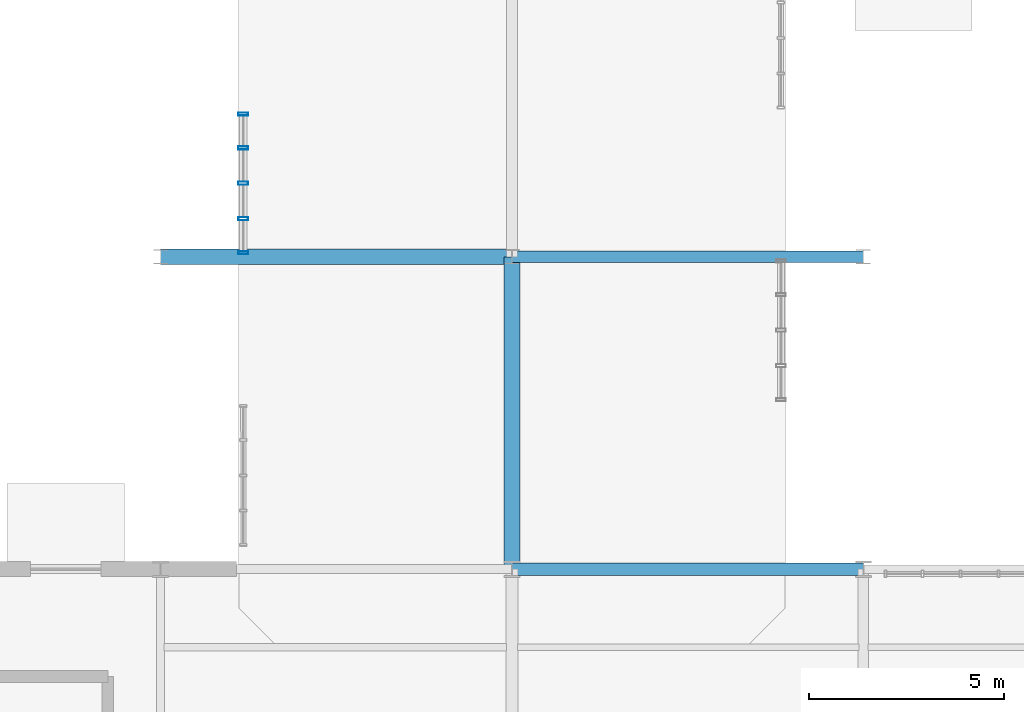
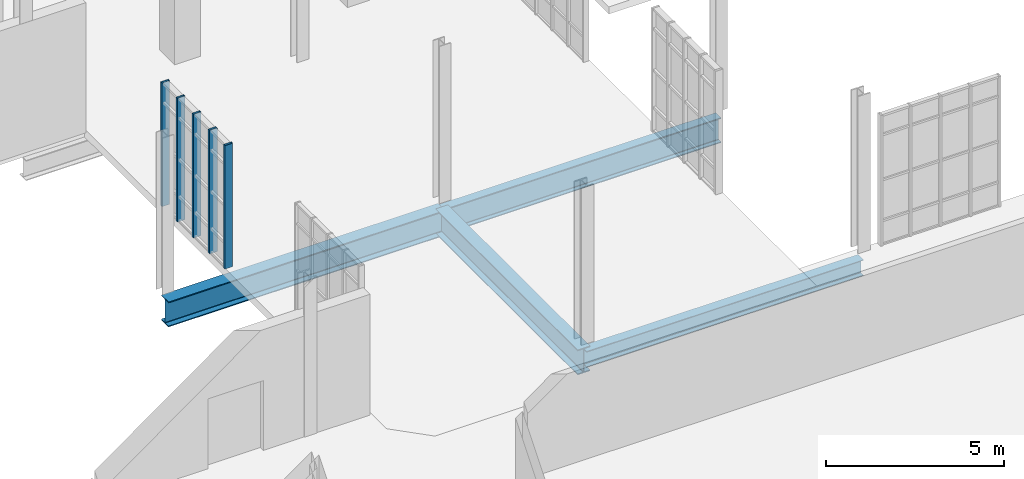
# One storey, part 30 of 189: 5 members, 4 beams, 1 element without a shape of its own.
"""IFC4 building model written with IfcOpenShell, lengths in metres."""

from ifc_helpers import new_model, si_unit, direction, frame, origin, origin_2d, place, context, subcontext, project, spatial, hollow_rectangle, i_section, extrude, material, layer, layer_set, material_profile, profile_set, type_object, element, aggregate, save


model = new_model("IFC4")

# Units and contexts
model_context = context("Model", 3, precision=1e-05, world=origin(), true_north=direction((0.0, 1.0)))
body_context = subcontext(model_context, "Body", "Model", "MODEL_VIEW")
ifc_project = project(units=[si_unit("LENGTHUNIT", "METRE"), si_unit("AREAUNIT", "SQUARE_METRE"), si_unit("VOLUMEUNIT", "CUBIC_METRE"), si_unit("PLANEANGLEUNIT", "RADIAN"), si_unit("MASSUNIT", "GRAM", prefix="KILO"), si_unit("THERMODYNAMICTEMPERATUREUNIT", "KELVIN"), si_unit("POWERUNIT", "WATT")], contexts=[model_context])

# Site, building, storey
site_placement = place(None, origin())
site = spatial("IfcSite", under=ifc_project, at=site_placement, CompositionType="ELEMENT")
building_placement = place(site_placement, origin())
building = spatial("IfcBuilding", under=site, at=building_placement, Name="Zelmaris Science Centre", CompositionType="ELEMENT")
storey_placement = place(building_placement, origin())
storey = spatial("IfcBuildingStorey", under=building, at=storey_placement, Name="L00", CompositionType="ELEMENT", Elevation=0.0)

# Curtain wall, members
ifc_material_1 = material(Name="Anodised architectural aluminium 6063-T6", Category="aluminium")
ifc_layer = layer(ifc_material_1, 0.18994140625, Name="Anodised architectural aluminium 6063-T6")
ifc_layer_set = layer_set([ifc_layer], Name="Anodised architectural aluminium 6063-T6")
curtain_wall_type = type_object("IfcCurtainWallType", Name="Curtain Wall CW-01", PredefinedType="USERDEFINED", material=ifc_layer_set)
curtain_wall_placement = place(storey_placement, origin())
curtain_wall = element("IfcCurtainWall", 1, at=curtain_wall_placement, inside=storey, type_object=curtain_wall_type, Name="L00 Unitised curtain wall 9", ObjectType="GLAZED CURTAIN WALL", PredefinedType="USERDEFINED")
ifc_material_profile_1 = material_profile(ifc_material_1, hollow_rectangle(XDim=0.080078125, YDim=0.25, WallThickness=0.0048828125, at=origin_2d()), Name="ALU-MUL-80X250")
ifc_profile_set_1 = profile_set([ifc_material_profile_1], Name="Anodised architectural aluminium 6063-T6")
member_type = type_object("IfcMemberType", Name="ALU-MUL-80X250", PredefinedType="MULLION", material=ifc_profile_set_1)
member_1_placement = place(storey_placement, frame((20.1162109375, 48.107421875, -0.014892578125), z_axis=(0.0, 0.0, 1.0), x_axis=(-0.000427605654, 0.999999908577, 0.0)))
member_1 = element("IfcMember", 2, at=member_1_placement, type_object=member_type, Name="CW-01 mullion 1", PredefinedType="MULLION", context=body_context, shape_type="SweptSolid", body=[
    extrude(hollow_rectangle(XDim=0.080078125, YDim=0.25, WallThickness=0.0048828125, at=origin_2d()), origin(), (0.0, 0.0, 1.0), 4.248779296875),
])
member_2_placement = place(storey_placement, frame((20.115966796875, 48.975830078125, -0.014892578125), z_axis=(0.0, 0.0, 1.0), x_axis=(-0.000427605654, 0.999999908577, 0.0)))
member_2 = element("IfcMember", 3, at=member_2_placement, type_object=member_type, Name="CW-01 mullion 2", PredefinedType="MULLION", context=body_context, shape_type="SweptSolid", body=[
    extrude(hollow_rectangle(XDim=0.080078125, YDim=0.25, WallThickness=0.0048828125, at=origin_2d()), origin(), (0.0, 0.0, 1.0), 4.248779296875),
])
member_3_placement = place(storey_placement, frame((20.115478515625, 49.880615234375, -0.014892578125), z_axis=(0.0, 0.0, 1.0), x_axis=(-0.000427605654, 0.999999908577, 0.0)))
member_3 = element("IfcMember", 4, at=member_3_placement, type_object=member_type, Name="CW-01 mullion 3", PredefinedType="MULLION", context=body_context, shape_type="SweptSolid", body=[
    extrude(hollow_rectangle(XDim=0.080078125, YDim=0.25, WallThickness=0.0048828125, at=origin_2d()), origin(), (0.0, 0.0, 1.0), 4.248779296875),
])
member_4_placement = place(storey_placement, frame((20.114990234375, 50.78515625, -0.014892578125), z_axis=(0.0, 0.0, 1.0), x_axis=(-0.000427605654, 0.999999908577, 0.0)))
member_4 = element("IfcMember", 5, at=member_4_placement, type_object=member_type, Name="CW-01 mullion 4", PredefinedType="MULLION", context=body_context, shape_type="SweptSolid", body=[
    extrude(hollow_rectangle(XDim=0.080078125, YDim=0.25, WallThickness=0.0048828125, at=origin_2d()), origin(), (0.0, 0.0, 1.0), 4.248779296875),
])
member_5_placement = place(storey_placement, frame((20.11474609375, 51.65380859375, -0.014892578125), z_axis=(0.0, 0.0, 1.0), x_axis=(-0.000427605654, 0.999999908577, 0.0)))
member_5 = element("IfcMember", 6, at=member_5_placement, type_object=member_type, Name="CW-01 mullion 5", PredefinedType="MULLION", context=body_context, shape_type="SweptSolid", body=[
    extrude(hollow_rectangle(XDim=0.080078125, YDim=0.25, WallThickness=0.0048828125, at=origin_2d()), origin(), (0.0, 0.0, 1.0), 4.248779296875),
])
aggregate(curtain_wall, [member_1, member_2, member_3, member_4, member_5])

# Beams
ifc_material_2 = material(Name="Steel ASTM A992 Grade 50", Category="steel")
ifc_material_profile_2 = material_profile(ifc_material_2, i_section(OverallWidth=0.31201171875, OverallDepth=0.5439453125, WebThickness=0.0126953125, FlangeThickness=0.020263671875, FilletRadius=0.013916015625, at=origin_2d()), Name="W21X101")
ifc_profile_set_2 = profile_set([ifc_material_profile_2], Name="Steel ASTM A992 Grade 50")
beam_type_1 = type_object("IfcBeamType", Name="Beam G-18 W21X101", PredefinedType="BEAM", material=ifc_profile_set_2)
beam_1_placement = place(storey_placement, frame((27.0, 40.0, -0.58203125), z_axis=(1.0, 0.0, 0.0), x_axis=(0.0, 1.0, 0.0)))
element("IfcBeam", 7, at=beam_1_placement, inside=storey, type_object=beam_type_1, Name="L00 East-west girder 135", PredefinedType="BEAM", context=body_context, shape_type="SweptSolid", body=[
    extrude(i_section(OverallWidth=0.31201171875, OverallDepth=0.5439453125, WebThickness=0.0126953125, FlangeThickness=0.020263671875, FilletRadius=0.013916015625, at=origin_2d()), origin(), (0.0, 0.0, 1.0), 9.0),
])
ifc_material_profile_3 = material_profile(ifc_material_2, i_section(OverallWidth=0.404052734375, OverallDepth=0.861083984375, WebThickness=0.019775390625, FlangeThickness=0.032470703125, FilletRadius=0.02001953125, at=origin_2d()), Name="W33X221")
ifc_profile_set_3 = profile_set([ifc_material_profile_3], Name="Steel ASTM A992 Grade 50")
beam_type_2 = type_object("IfcBeamType", Name="Beam G-28 W33X221", PredefinedType="BEAM", material=ifc_profile_set_3)
beam_2_placement = place(storey_placement, frame((27.0, 40.0, -0.71044921875), z_axis=(0.0, 1.0, 0.0), x_axis=(-1.0, 0.0, 0.0)))
element("IfcBeam", 8, at=beam_2_placement, inside=storey, type_object=beam_type_2, Name="L00 North-south girder 17", PredefinedType="BEAM", context=body_context, shape_type="SweptSolid", body=[
    extrude(i_section(OverallWidth=0.404052734375, OverallDepth=0.861083984375, WebThickness=0.019775390625, FlangeThickness=0.032470703125, FilletRadius=0.02001953125, at=origin_2d()), origin(), (0.0, 0.0, 1.0), 8.0),
])
beam_3_placement = place(storey_placement, frame((18.0, 48.0, -0.71044921875), z_axis=(1.0, 0.0, 0.0), x_axis=(0.0, 1.0, 0.0)))
element("IfcBeam", 9, at=beam_3_placement, inside=storey, type_object=beam_type_2, Name="L00 East-west girder 141", PredefinedType="BEAM", context=body_context, shape_type="SweptSolid", body=[
    extrude(i_section(OverallWidth=0.404052734375, OverallDepth=0.861083984375, WebThickness=0.019775390625, FlangeThickness=0.032470703125, FilletRadius=0.02001953125, at=origin_2d()), origin(), (0.0, 0.0, 1.0), 9.0),
])
ifc_material_profile_4 = material_profile(ifc_material_2, i_section(OverallWidth=0.2919921875, OverallDepth=0.85888671875, WebThickness=0.01708984375, FlangeThickness=0.031005859375, FilletRadius=0.02001953125, at=origin_2d()), Name="W33X169")
ifc_profile_set_4 = profile_set([ifc_material_profile_4], Name="Steel ASTM A992 Grade 50")
beam_type_3 = type_object("IfcBeamType", Name="Beam G-29 W33X169", PredefinedType="BEAM", material=ifc_profile_set_4)
beam_4_placement = place(storey_placement, frame((27.0, 48.0, -0.70947265625), z_axis=(1.0, 0.0, 0.0), x_axis=(0.0, 1.0, 0.0)))
element("IfcBeam", 10, at=beam_4_placement, inside=storey, type_object=beam_type_3, Name="L00 East-west girder 142", PredefinedType="BEAM", context=body_context, shape_type="SweptSolid", body=[
    extrude(i_section(OverallWidth=0.2919921875, OverallDepth=0.85888671875, WebThickness=0.01708984375, FlangeThickness=0.031005859375, FilletRadius=0.02001953125, at=origin_2d()), origin(), (0.0, 0.0, 1.0), 9.0),
])

save(model, "model.ifc")
